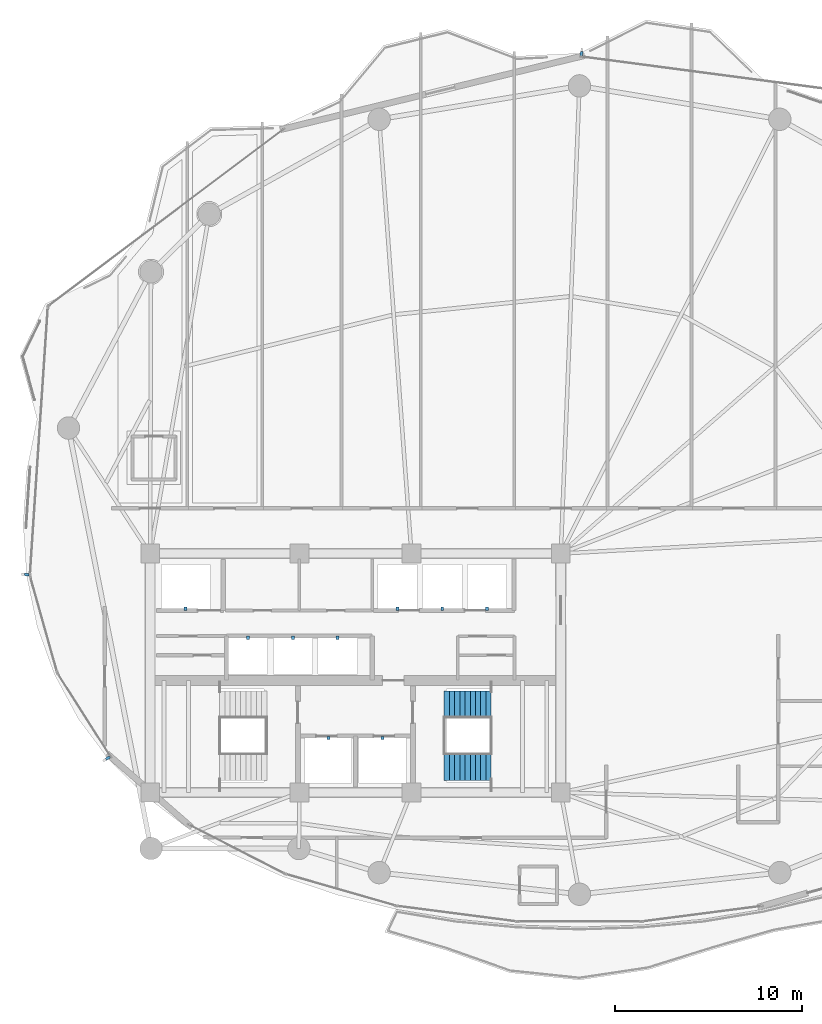
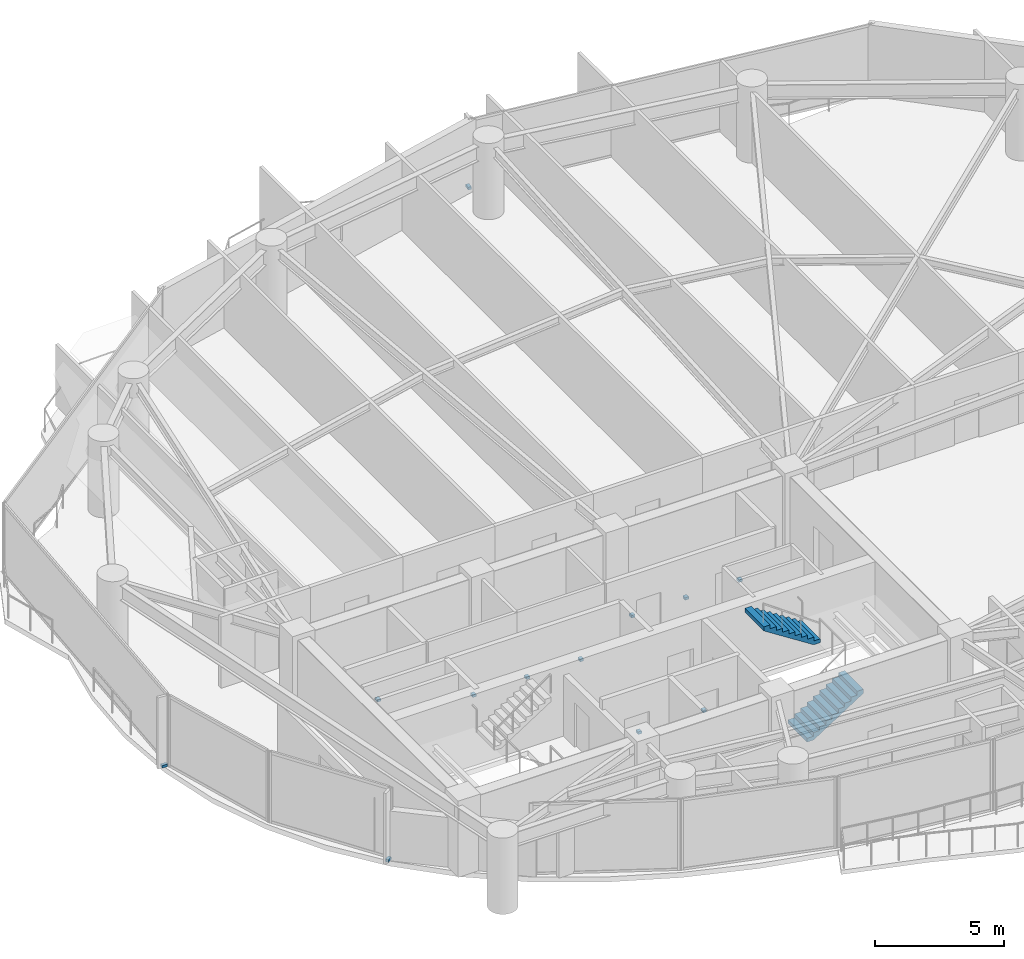
# One storey, part 27 of 30: 12 discrete accessories, 2 stair flights, 1 element without a shape of its own.
"""IFC4 building model written with IfcOpenShell, lengths in metres."""

import ifcopenshell
import ifcopenshell.guid

model = None  # the IFC model being written
_history = None  # IfcOwnerHistory: only IFC2X3 demands one
_inside = {}  # id of a spatial element -> (the spatial element, [elements in it])
_under = {}  # id of a project, library or spatial element -> (it, [spatial elements below it])
_declared = {}  # id of a project -> (the project, [libraries it declares])
_typed = {}  # id of a type object -> (the type object, [elements of that type])
_made_of = {}  # id of a material, layer set ... -> (it, [elements and type objects made of it])


def new_model(schema):
    """Start an empty IFC model of exactly this schema.

    Asked for "IFC4X3", IfcOpenShell would pick the latest addendum, in which some entities
    have other attributes; the version numbers below select the first issue.
    IFC2X3 requires an IfcOwnerHistory on every rooted entity: one is made here for all.
    """
    global model, _history
    if schema == "IFC4X3":
        model = ifcopenshell.file(schema_version=(4, 3, 0, 0))
    else:
        model = ifcopenshell.file(schema=schema)
    _inside.clear()
    _under.clear()
    _declared.clear()
    _typed.clear()
    _made_of.clear()
    _history = None
    if model.schema == "IFC2X3":
        org = make("IfcOrganization", Name="unknown")
        user = make(
            "IfcPersonAndOrganization",
            ThePerson=make("IfcPerson", FamilyName="unknown"),
            TheOrganization=org,
        )
        app = make(
            "IfcApplication",
            ApplicationDeveloper=org,
            Version="unknown",
            ApplicationFullName="unknown",
            ApplicationIdentifier="unknown",
        )
        _history = make(
            "IfcOwnerHistory",
            OwningUser=user,
            OwningApplication=app,
            ChangeAction="ADDED",
            CreationDate=0,
        )
    return model


def make(cls, **values):
    """One entity of the class cls with the attributes given. An attribute that is None is left unset."""
    return model.create_entity(
        cls, **{name: value for name, value in values.items() if value is not None}
    )


def rooted(cls, **values):
    """An entity with a GlobalId (a new one), such as an element, a storey or a relation."""
    return make(cls, GlobalId=ifcopenshell.guid.new(), OwnerHistory=_history, **values)


def si_unit(unit_type, name, prefix=None):
    """IfcSIUnit, for example si_unit("LENGTHUNIT", "METRE", prefix="MILLI")."""
    return make("IfcSIUnit", UnitType=unit_type, Prefix=prefix, Name=name)


def assignment(units):
    """IfcUnitAssignment: the units of a project."""
    return None if units is None else make("IfcUnitAssignment", Units=units)


def point(xyz):
    """IfcCartesianPoint."""
    return None if xyz is None else make("IfcCartesianPoint", Coordinates=xyz)


def direction(xyz):
    """IfcDirection."""
    return None if xyz is None else make("IfcDirection", DirectionRatios=xyz)


def frame(location, z_axis=None, x_axis=None):
    """IfcAxis2Placement3D, a coordinate frame: its origin and axes. An axis left out is left unset."""
    return make(
        "IfcAxis2Placement3D",
        Location=point(location),
        Axis=direction(z_axis),
        RefDirection=direction(x_axis),
    )


def frame_2d(location, x_axis=None):
    """IfcAxis2Placement2D, a coordinate frame in the plane: its origin and x axis."""
    return make(
        "IfcAxis2Placement2D", Location=point(location), RefDirection=direction(x_axis)
    )


def origin():
    """The frame at (0, 0, 0) with its axes left unset."""
    return frame((0.0, 0.0, 0.0))


def origin_2d():
    """The frame at (0, 0) in the plane with its x axis left unset."""
    return frame_2d((0.0, 0.0))


def place(relative_to, where):
    """IfcLocalPlacement: puts the frame where relative to a parent placement (None: the world)."""
    return make(
        "IfcLocalPlacement", PlacementRelTo=relative_to, RelativePlacement=where
    )


def context(
    kind, dimensions, precision=None, world=None, true_north=None, identifier=None
):
    """IfcGeometricRepresentationContext, for example the 3D "Model" context."""
    return make(
        "IfcGeometricRepresentationContext",
        ContextIdentifier=identifier,
        ContextType=kind,
        CoordinateSpaceDimension=dimensions,
        Precision=precision,
        WorldCoordinateSystem=world,
        TrueNorth=true_north,
    )


def subcontext(parent, identifier, kind, view, scale=None):
    """IfcGeometricRepresentationSubContext, for example "Body" below "Model"."""
    return make(
        "IfcGeometricRepresentationSubContext",
        ContextIdentifier=identifier,
        ContextType=kind,
        ParentContext=parent,
        TargetScale=scale,
        TargetView=view,
    )


def project(units=None, contexts=None):
    """IfcProject with its units and contexts."""
    return rooted(
        "IfcProject",
        Name="project",
        RepresentationContexts=contexts,
        UnitsInContext=assignment(units),
    )


def spatial(cls, under=None, at=None, **own):
    """A site, building, storey or space (cls), placed at a placement, below another one or the project."""
    s = rooted(cls, ObjectPlacement=at, **own)
    if under is not None:
        _under.setdefault(under.id(), (under, []))[1].append(s)
    return s


def polyline(points):
    """IfcPolyline through the points."""
    return make("IfcPolyline", Points=[point(p) for p in points])


def profile(cls, at=None, kind="AREA", **sizes):
    """A parametric profile (cls). Its sizes go by their IFC names, for example OverallWidth=200.0."""
    return make(cls, ProfileType=kind, Position=at, **sizes)


def rectangle(**sizes):
    """IfcRectangleProfileDef."""
    return profile("IfcRectangleProfileDef", **sizes)


def outline(outer, holes=None, kind="AREA"):
    """IfcArbitraryClosedProfileDef: a profile drawn as a closed curve; with holes, ...WithVoids."""
    if holes is None:
        return make("IfcArbitraryClosedProfileDef", ProfileType=kind, OuterCurve=outer)
    return make(
        "IfcArbitraryProfileDefWithVoids",
        ProfileType=kind,
        OuterCurve=outer,
        InnerCurves=holes,
    )


def extrude(swept, where, along, depth):
    """IfcExtrudedAreaSolid: the profile swept, set in the frame where, extruded along a direction by depth."""
    return make(
        "IfcExtrudedAreaSolid",
        SweptArea=swept,
        Position=where,
        ExtrudedDirection=direction(along),
        Depth=depth,
    )


def shape(context_of_items, identifier, shape_type, items):
    """IfcShapeRepresentation: the items that make up one representation, for example the "Body"."""
    return make(
        "IfcShapeRepresentation",
        ContextOfItems=context_of_items,
        RepresentationIdentifier=identifier,
        RepresentationType=shape_type,
        Items=items,
    )


def material(Name=None, Category=None):
    """IfcMaterial."""
    return make("IfcMaterial", Name=Name, Category=Category)


def layer(
    of_material, thickness, ventilated=None, Name=None, Category=None, Priority=None
):
    """IfcMaterialLayer: one layer of a wall or slab, of a material (None: an air gap)."""
    return make(
        "IfcMaterialLayer",
        Material=of_material,
        LayerThickness=thickness,
        IsVentilated=ventilated,
        Name=Name,
        Category=Category,
        Priority=Priority,
    )


def layer_set(layers, Name=None):
    """IfcMaterialLayerSet."""
    return make("IfcMaterialLayerSet", MaterialLayers=layers, LayerSetName=Name)


def made_of(thing, what):
    """Note that an element or type object is made of a material, layer set ...; save() writes the relation."""
    if what is not None:
        _made_of.setdefault(what.id(), (what, []))[1].append(thing)
    return thing


def type_object(cls, material=None, **own):
    """A type object (cls), such as IfcWallType, which elements share."""
    return made_of(rooted(cls, **own), material)


def element(
    cls,
    number,
    at=None,
    inside=None,
    cuts=None,
    type_object=None,
    material=None,
    context=None,
    identifier="Body",
    shape_type=None,
    held_by="IfcProductDefinitionShape",
    body=None,
    shapes=None,
    **own,
):
    """One element of the class cls, such as IfcWall. Its Tag is "e" and its number.

    at: its placement. inside: the storey or other place that contains it. cuts: it is an
    opening in that element (IfcRelVoidsElement). A single representation is given by context,
    identifier, shape_type and body (its items); several are given by shapes. held_by: the class
    of the entity that holds the representations. save() writes the other relations.
    """
    e = rooted(cls, Tag="e%d" % number, ObjectPlacement=at, **own)
    if body is not None:
        shapes = [shape(context, identifier, shape_type, body)]
    if shapes is not None:
        e.Representation = make(held_by, Representations=shapes)
    if inside is not None:
        _inside.setdefault(inside.id(), (inside, []))[1].append(e)
    if cuts is not None:
        rooted(
            "IfcRelVoidsElement", RelatingBuildingElement=cuts, RelatedOpeningElement=e
        )
    if type_object is not None:
        _typed.setdefault(type_object.id(), (type_object, []))[1].append(e)
    return made_of(e, material)


def aggregate(whole, parts):
    """IfcRelAggregates: a whole, such as a stair, and the parts it consists of."""
    return rooted("IfcRelAggregates", RelatingObject=whole, RelatedObjects=parts)


def save(model, path):
    """Write the relations noted so far, then the file.

    IfcRelAggregates (storeys below a building ...), IfcRelContainedInSpatialStructure (elements
    in a storey), IfcRelDefinesByType, IfcRelAssociatesMaterial and IfcRelDeclares: one each for
    every whole, place, type object, material and project.
    """
    for whole, parts in _under.values():
        aggregate(whole, parts)
    for where, things in _inside.values():
        rooted(
            "IfcRelContainedInSpatialStructure",
            RelatedElements=things,
            RelatingStructure=where,
        )
    for kind, things in _typed.values():
        rooted("IfcRelDefinesByType", RelatedObjects=things, RelatingType=kind)
    for what, things in _made_of.values():
        rooted("IfcRelAssociatesMaterial", RelatedObjects=things, RelatingMaterial=what)
    for by, libraries in _declared.values():
        rooted("IfcRelDeclares", RelatingContext=by, RelatedDefinitions=libraries)
    model.write(path)


model = new_model("IFC4")

# Units and contexts
model_context = context("Model", 3, precision=1e-05, world=origin(), true_north=direction((0.0, 1.0)))
body_context = subcontext(model_context, "Body", "Model", "MODEL_VIEW")
ifc_project = project(units=[si_unit("LENGTHUNIT", "METRE"), si_unit("AREAUNIT", "SQUARE_METRE"), si_unit("VOLUMEUNIT", "CUBIC_METRE"), si_unit("PLANEANGLEUNIT", "RADIAN"), si_unit("MASSUNIT", "GRAM", prefix="KILO")], contexts=[model_context])

# Site, building, storey
site_placement = place(None, origin())
site = spatial("IfcSite", under=ifc_project, at=site_placement, CompositionType="ELEMENT")
building_placement = place(site_placement, origin())
building = spatial("IfcBuilding", under=site, at=building_placement, Name="Kazevale Care Tower and Concert Hall", CompositionType="ELEMENT")
storey_placement = place(building_placement, frame((0.0, 0.0, 113.39990234375)))
storey = spatial("IfcBuildingStorey", under=building, at=storey_placement, Name="L29", CompositionType="ELEMENT", Elevation=113.39990234375)

# Stair, stair flights
ifc_material_1 = material(Name="Concrete C40", Category="concrete")
stair_type = type_object("IfcStairType", Name="Exit Stair Assembly ST1-Z2", PredefinedType="HALF_TURN_STAIR", material=ifc_material_1)
stair_placement = place(storey_placement, origin())
stair = element("IfcStair", 1, at=stair_placement, inside=storey, type_object=stair_type, Name="stair:L29:ST2", PredefinedType="HALF_TURN_STAIR")
ifc_layer = layer(ifc_material_1, 0.159912109375)
ifc_layer_set = layer_set([ifc_layer], Name="Concrete C40")
stair_flight_type = type_object("IfcStairFlightType", Name="Exit Stair Flight ST1-Z2", PredefinedType="STRAIGHT", material=ifc_layer_set)
stair_flight_1_placement = place(storey_placement, frame((37.75, 24.97998046875, 0.0), z_axis=(0.0, 0.0, 1.0), x_axis=(1.0, 0.0, 0.0)))
stair_flight_1 = element("IfcStairFlight", 2, at=stair_flight_1_placement, type_object=stair_flight_type, Name="ST1-Z2 flight 1", NumberOfRisers=10, NumberOfTreads=9, PredefinedType="STRAIGHT", RiserHeight=0.18, TreadLength=0.28, context=body_context, shape_type="SweptSolid", body=[
    extrude(outline(polyline([(0.0, 0.0), (0.0, 0.179931640625), (0.280029296875, 0.179931640625), (0.280029296875, 0.360107421875), (0.56005859375, 0.360107421875), (0.56005859375, 0.5400390625), (0.840087890625, 0.5400390625), (0.840087890625, 0.719970703125), (1.1201171875, 0.719970703125), (1.1201171875, 0.89990234375), (1.39990234375, 0.89990234375), (1.39990234375, 1.080078125), (1.679931640625, 1.080078125), (1.679931640625, 1.260009765625), (1.9599609375, 1.260009765625), (1.9599609375, 1.43994140625), (2.239990234375, 1.43994140625), (2.239990234375, 1.6201171875), (2.52001953125, 1.6201171875), (2.52001953125, 1.800048828125), (2.52001953125, 1.429931640625), (0.295654296875, 0.0), (0.0, 0.0)])), frame((0.0, 0.72998046875, 0.0), z_axis=(0.0, -1.0, 0.0), x_axis=(1.0, 0.0, 0.0)), (0.0, 0.0, 1.0), 1.4599609375),
])
stair_flight_2_placement = place(storey_placement, frame((40.27001953125, 28.320068359375, 1.800048828125), z_axis=(0.0, 0.0, 1.0), x_axis=(-1.0, 0.0, 0.0)))
stair_flight_2 = element("IfcStairFlight", 3, at=stair_flight_2_placement, type_object=stair_flight_type, Name="ST1-Z2 flight 2", NumberOfRisers=10, NumberOfTreads=9, PredefinedType="STRAIGHT", RiserHeight=0.18, TreadLength=0.28, context=body_context, shape_type="SweptSolid", body=[
    extrude(outline(polyline([(0.0, 0.0), (0.0, 0.179931640625), (0.280029296875, 0.179931640625), (0.280029296875, 0.360107421875), (0.56005859375, 0.360107421875), (0.56005859375, 0.5400390625), (0.840087890625, 0.5400390625), (0.840087890625, 0.719970703125), (1.1201171875, 0.719970703125), (1.1201171875, 0.89990234375), (1.39990234375, 0.89990234375), (1.39990234375, 1.080078125), (1.679931640625, 1.080078125), (1.679931640625, 1.260009765625), (1.9599609375, 1.260009765625), (1.9599609375, 1.43994140625), (2.239990234375, 1.43994140625), (2.239990234375, 1.6201171875), (2.52001953125, 1.6201171875), (2.52001953125, 1.800048828125), (2.52001953125, 1.429931640625), (0.295654296875, 0.0), (0.0, 0.0)])), frame((0.0, 0.72998046875, 0.0), z_axis=(0.0, -1.0, 0.0), x_axis=(1.0, 0.0, 0.0)), (0.0, 0.0, 1.0), 1.4599609375),
])
aggregate(stair, [stair_flight_1, stair_flight_2])

# Discrete accessories
ifc_material_2 = material(Name="Stainless Steel 316", Category="steel")
discrete_accessory_type_1 = type_object("IfcDiscreteAccessoryType", Name="Facade Fin Stainless Anchor Bracket BRK-1", PredefinedType="BRACKET", material=ifc_material_2)
for number, where, z_axis, x_axis, name in (
    (4, (19.739013671875, 25.4443359375, 0.0), (0.0, 0.0, 1.0), (-0.843391445813, -0.537299608347, 0.0), "cw:L29:f11:brk"),
    (5, (15.39892578125, 35.273193359375, 0.0), (0.0, 0.0, 1.0), (-0.997778273548, 0.066622194773, 0.0), "cw:L29:f13:brk"),
    (6, (45.1044921875, 63.1708984375, 0.0), (0.0, 0.0, 1.0), (0.130872263805, 0.991399238736, 0.0), "cw:L29:f16:brk"),
):
    element("IfcDiscreteAccessory", number, at=place(storey_placement, frame(where, z_axis=z_axis, x_axis=x_axis)), inside=storey, type_object=discrete_accessory_type_1, Name=name, PredefinedType="BRACKET", context=body_context, shape_type="SweptSolid", body=[
        extrude(rectangle(XDim=0.239990234375, YDim=0.139892578125, at=origin_2d()), origin(), (0.0, 0.0, 1.0), 0.1201171875),
    ])
discrete_accessory_type_2 = type_object("IfcDiscreteAccessoryType", Name="Hoistway Guide-Rail Wall Bracket HBRK-1", PredefinedType="BRACKET", material=ifc_material_2)
for number, where, z_axis, x_axis, name in (
    (7, (31.550048828125, 26.52001953125, 1.239990234375), (0.0, 0.0, 1.0), (1.0, 0.0, 0.0), "hbrk:FFL-1:L29"),
    (8, (34.449951171875, 26.52001953125, 1.239990234375), (0.0, 0.0, 1.0), (1.0, 0.0, 0.0), "hbrk:FFL-2:L29"),
    (9, (23.89990234375, 33.449951171875, 1.239990234375), (0.0, 0.0, 1.0), (1.0, 0.0, 0.0), "hbrk:SVL-1:L29"),
    (10, (35.25, 33.449951171875, 1.239990234375), (0.0, 0.0, 1.0), (1.0, 0.0, 0.0), "hbrk:PM-1:L29"),
    (11, (37.64990234375, 33.449951171875, 1.239990234375), (0.0, 0.0, 1.0), (1.0, 0.0, 0.0), "hbrk:PM-2:L29"),
    (12, (40.050048828125, 33.449951171875, 1.239990234375), (0.0, 0.0, 1.0), (1.0, 0.0, 0.0), "hbrk:PM-3:L29"),
    (13, (27.25, 31.8798828125, 1.239990234375), (0.0, 0.0, 1.0), (1.0, 0.0, 0.0), "hbrk:PH-1:L29"),
    (14, (29.64990234375, 31.8798828125, 1.239990234375), (0.0, 0.0, 1.0), (1.0, 0.0, 0.0), "hbrk:PH-2:L29"),
    (15, (32.050048828125, 31.8798828125, 1.239990234375), (0.0, 0.0, 1.0), (1.0, 0.0, 0.0), "hbrk:PH-3:L29"),
):
    element("IfcDiscreteAccessory", number, at=place(storey_placement, frame(where, z_axis=z_axis, x_axis=x_axis)), inside=storey, type_object=discrete_accessory_type_2, Name=name, PredefinedType="BRACKET", context=body_context, shape_type="SweptSolid", body=[
        extrude(rectangle(XDim=0.159912109375, YDim=0.179931640625, at=origin_2d()), origin(), (0.0, 0.0, 1.0), 0.1201171875),
    ])

save(model, "model.ifc")
